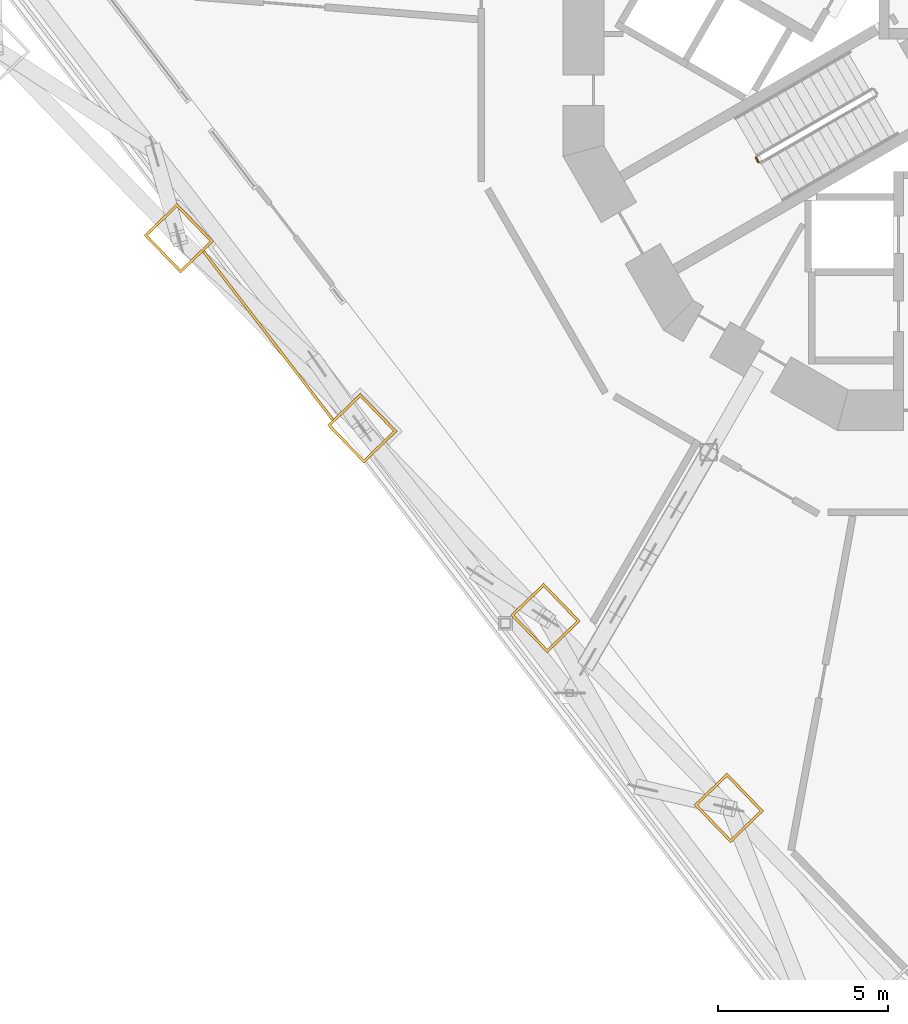
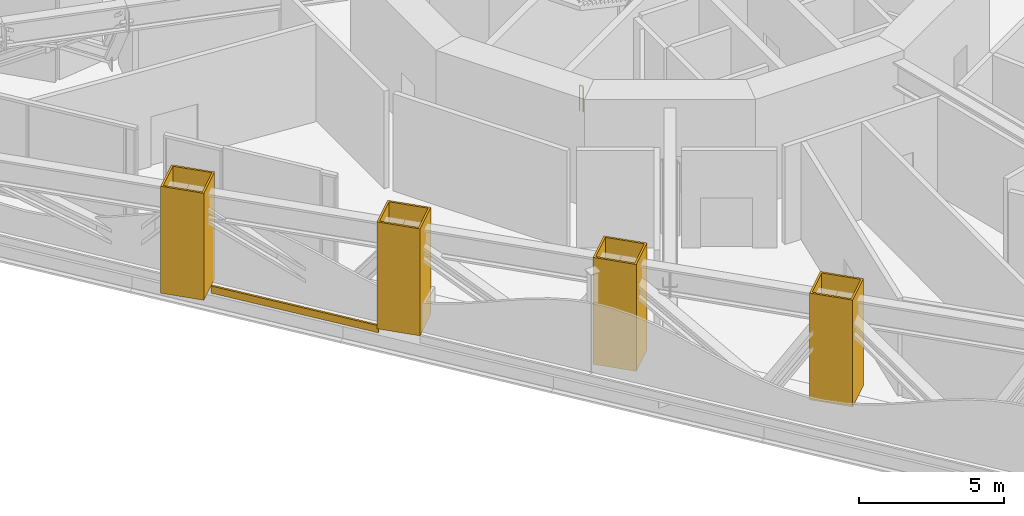
# One storey, part 25 of 31: 5 coverings, 1 railing.
"""IFC4 building model written with IfcOpenShell, lengths in metres."""

from ifc_helpers import new_model, si_unit, direction, frame, origin, origin_2d, place, context, subcontext, project, spatial, polyline, circle, outline, extrude, material, layer, layer_set, type_object, element, save


model = new_model("IFC4")

# Units and contexts
model_context = context("Model", 3, precision=1e-05, world=origin(), true_north=direction((0.0, 1.0)))
body_context = subcontext(model_context, "Body", "Model", "MODEL_VIEW")
ifc_project = project(units=[si_unit("LENGTHUNIT", "METRE"), si_unit("AREAUNIT", "SQUARE_METRE"), si_unit("VOLUMEUNIT", "CUBIC_METRE"), si_unit("PLANEANGLEUNIT", "RADIAN"), si_unit("MASSUNIT", "GRAM", prefix="KILO")], contexts=[model_context])

# Site, building, storey
site_placement = place(None, origin())
site = spatial("IfcSite", under=ifc_project, at=site_placement, CompositionType="ELEMENT")
building_placement = place(site_placement, origin())
building = spatial("IfcBuilding", under=site, at=building_placement, Name="Trine Commons Tower", CompositionType="ELEMENT")
storey_placement = place(building_placement, frame((0.0, 0.0, 82.800048828125)))
storey = spatial("IfcBuildingStorey", under=building, at=storey_placement, Name="L20", CompositionType="ELEMENT", Elevation=82.800048828125)

# Coverings
ifc_material_1 = material(Name="Limestone, honed", Category="masonry")
ifc_layer_1 = layer(ifc_material_1, 0.074951171875)
ifc_layer_set_1 = layer_set([ifc_layer_1], Name="Limestone, honed")
covering_type_1 = type_object("IfcCoveringType", Name="Limestone column cladding 75", PredefinedType="CLADDING", material=ifc_layer_set_1)
covering_1_placement = place(storey_placement, origin())
element("IfcCovering", 1, at=covering_1_placement, inside=storey, type_object=covering_type_1, Name="Limestone pier cladding 3-03", PredefinedType="CLADDING", context=body_context, shape_type="SweptSolid", body=[
    extrude(outline(polyline([(73.81005859375, 41.423095703125), (72.8388671875, 40.4853515625), (73.91552734375, 39.370361328125), (74.88671875, 40.30810546875), (73.81005859375, 41.423095703125)]), holes=[polyline([(73.80810546875, 41.317138671875), (72.94482421875, 40.4833984375), (73.91748046875, 39.4765625), (74.78076171875, 40.31005859375), (73.80810546875, 41.317138671875)])]), origin(), (0.0, 0.0, 1.0), 4.5),
])
covering_2_placement = place(storey_placement, origin())
element("IfcCovering", 2, at=covering_2_placement, inside=storey, type_object=covering_type_1, Name="Limestone pier cladding 3-04", PredefinedType="CLADDING", context=body_context, shape_type="SweptSolid", body=[
    extrude(outline(polyline([(68.421142578125, 47.003662109375), (67.449951171875, 46.06591796875), (68.526611328125, 44.95068359375), (69.497802734375, 45.888671875), (68.421142578125, 47.003662109375)]), holes=[polyline([(68.419189453125, 46.8974609375), (67.555908203125, 46.06396484375), (68.528564453125, 45.056884765625), (69.391845703125, 45.890380859375), (68.419189453125, 46.8974609375)])]), origin(), (0.0, 0.0, 1.0), 4.5),
])
covering_3_placement = place(storey_placement, origin())
element("IfcCovering", 3, at=covering_3_placement, inside=storey, type_object=covering_type_1, Name="Limestone pier cladding 3-05", PredefinedType="CLADDING", context=body_context, shape_type="SweptSolid", body=[
    extrude(outline(polyline([(63.0322265625, 52.583984375), (62.06103515625, 51.646240234375), (63.1376953125, 50.53125), (64.10888671875, 51.468994140625), (63.0322265625, 52.583984375)]), holes=[polyline([(63.0302734375, 52.477783203125), (62.1669921875, 51.644287109375), (63.1396484375, 50.63720703125), (64.0029296875, 51.470947265625), (63.0302734375, 52.477783203125)])]), origin(), (0.0, 0.0, 1.0), 4.5),
])
covering_4_placement = place(storey_placement, origin())
element("IfcCovering", 4, at=covering_4_placement, inside=storey, type_object=covering_type_1, Name="Limestone pier cladding 3-06", PredefinedType="CLADDING", context=body_context, shape_type="SweptSolid", body=[
    extrude(outline(polyline([(57.643310546875, 58.164306640625), (56.672119140625, 57.2265625), (57.748779296875, 56.111572265625), (58.719970703125, 57.04931640625), (57.643310546875, 58.164306640625)]), holes=[polyline([(57.641357421875, 58.05810546875), (56.778076171875, 57.224609375), (57.750732421875, 56.217529296875), (58.614013671875, 57.05126953125), (57.641357421875, 58.05810546875)])]), origin(), (0.0, 0.0, 1.0), 4.5),
])
ifc_layer_2 = layer(ifc_material_1, 0.074951171875)
ifc_layer_set_2 = layer_set([ifc_layer_2], Name="Limestone, honed")
covering_type_2 = type_object("IfcCoveringType", Name="Limestone spandrel panel 75", PredefinedType="CLADDING", material=ifc_layer_set_2)
covering_5_placement = place(storey_placement, frame((0.0, 0.0, -0.300048828125)))
element("IfcCovering", 5, at=covering_5_placement, inside=storey, type_object=covering_type_2, Name="Limestone spandrel panel 2-01", PredefinedType="CLADDING", context=body_context, shape_type="SweptSolid", body=[
    extrude(outline(polyline([(58.393310546875, 56.73388671875), (62.19677734375, 51.77734375), (62.251220703125, 51.82958984375), (58.44775390625, 56.786376953125), (58.393310546875, 56.73388671875)])), origin(), (0.0, 0.0, 1.0), 0.300048828125),
])

# Railing
ifc_material_2 = material(Name="Stainless steel balustrade", Category="steel")
railing_type = type_object("IfcRailingType", Name="Stair guard, steel balustrade 1100", PredefinedType="GUARDRAIL", material=ifc_material_2)
railing_placement = place(storey_placement, frame((74.73681640625, 59.374755859375, 0.0)))
element("IfcRailing", 6, at=railing_placement, inside=storey, type_object=railing_type, Name="L20 ST2A stair guard 4", PredefinedType="GUARDRAIL", context=body_context, shape_type="SweptSolid", body=[
    extrude(circle(Radius=0.02392578125, at=origin_2d()), frame((0.0, 0.0, 1.076171875), z_axis=(-0.499816412211, 0.866131372301, 0.0), x_axis=(-0.866131372301, -0.499816412211, 0.0)), (0.0, 0.0, 1.0), 0.14990234375),
    extrude(circle(Radius=0.02099609375, at=origin_2d()), origin(), (0.0, 0.0, 1.0), 1.052001953125),
    extrude(circle(Radius=0.02099609375, at=origin_2d()), frame((-0.074951171875, 0.1298828125, 0.0)), (0.0, 0.0, 1.0), 1.052001953125),
])

save(model, "model.ifc")
